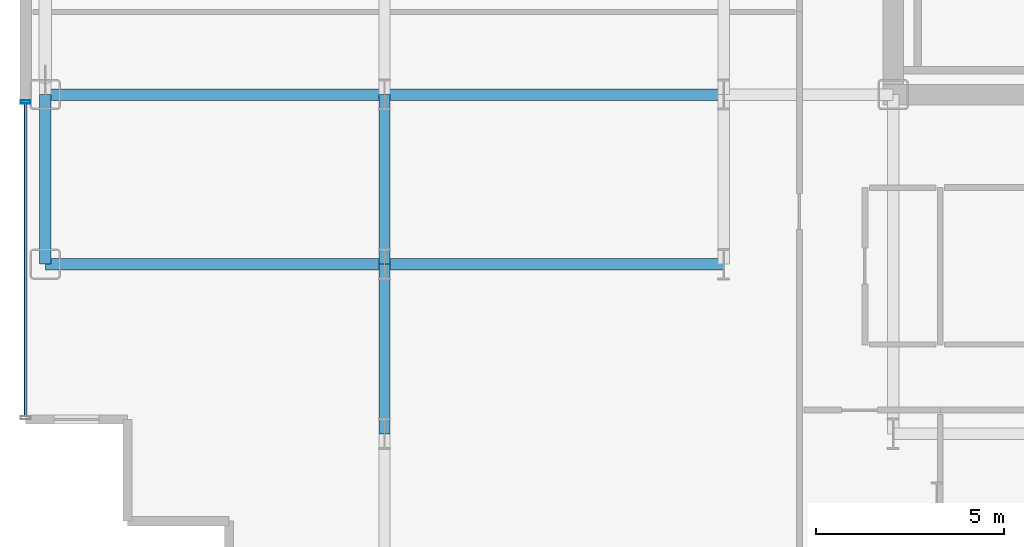
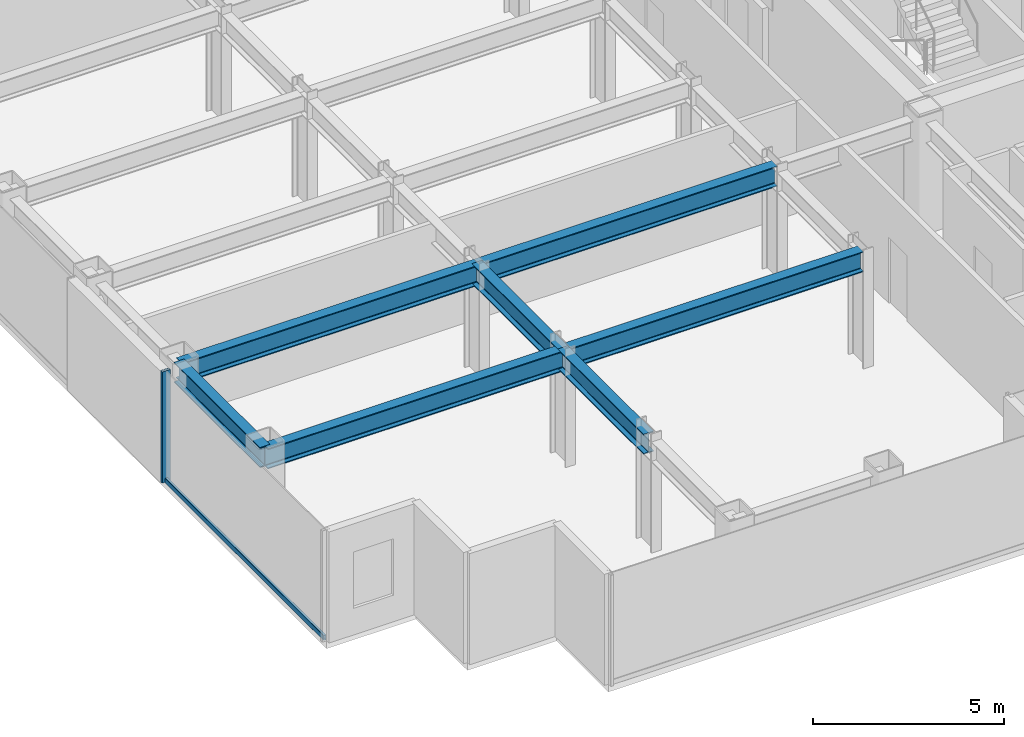
# One storey, part 4 of 25: 7 beams, 2 members, 1 element without a shape of its own.
"""IFC4 building model written with IfcOpenShell, lengths in metres."""

from ifc_helpers import new_model, si_unit, direction, frame, origin, origin_2d, place, context, subcontext, project, spatial, hollow_rectangle, i_section, extrude, source, transform, mapped, material, layer, layer_set, material_profile, profile_set, type_object, element, aggregate, save


model = new_model("IFC4")

# Units and contexts
model_context = context("Model", 3, precision=1e-05, world=origin(), true_north=direction((0.0, 1.0)))
body_context = subcontext(model_context, "Body", "Model", "MODEL_VIEW")
ifc_project = project(units=[si_unit("LENGTHUNIT", "METRE"), si_unit("AREAUNIT", "SQUARE_METRE"), si_unit("VOLUMEUNIT", "CUBIC_METRE"), si_unit("PLANEANGLEUNIT", "RADIAN"), si_unit("MASSUNIT", "GRAM", prefix="KILO")], contexts=[model_context])

# Site, building, storey
site_placement = place(None, origin())
site = spatial("IfcSite", under=ifc_project, at=site_placement, CompositionType="ELEMENT")
building_placement = place(site_placement, origin())
building = spatial("IfcBuilding", under=site, at=building_placement, Name="Nefas-Gora Pilgrimage Tower", CompositionType="ELEMENT")
storey_placement = place(building_placement, frame((0.0, 0.0, 194.39990234375)))
storey = spatial("IfcBuildingStorey", under=building, at=storey_placement, Name="L48", CompositionType="ELEMENT", Elevation=194.39990234375)

# Beams
ifc_material_1 = material(Name="Steel S355", Category="steel")
ifc_material_profile_1 = material_profile(ifc_material_1, i_section(OverallWidth=0.300048828125, OverallDepth=0.64990234375, WebThickness=0.01611328125, FlangeThickness=0.031005859375, FilletRadius=0.027099609375, at=origin_2d()), Name="HEB 650")
ifc_profile_set_1 = profile_set([ifc_material_profile_1], Name="Steel S355")
beam_type_1 = type_object("IfcBeamType", Name="BM-SPN-HEB500", PredefinedType="SPANDREL", material=ifc_profile_set_1)
shared_shape_1 = source(origin(), body_context, "Body", "SweptSolid", [
    extrude(i_section(OverallWidth=0.300048828125, OverallDepth=0.64990234375, WebThickness=0.01611328125, FlangeThickness=0.031005859375, FilletRadius=0.027099609375, at=origin_2d()), origin(), (0.0, 0.0, 1.0), 4.5),
])
beam_placement = place(storey_placement, frame((-33.75, -13.5, 3.22509765625), z_axis=(0.0, 1.0, 0.0), x_axis=(-1.0, 0.0, 0.0)))
element("IfcBeam", 1, at=beam_placement, inside=storey, type_object=beam_type_1, Name="L48 SP-02 beam", PredefinedType="SPANDREL", context=body_context, shape_type="MappedRepresentation", body=[
    mapped(shared_shape_1, transform((0.0, 0.0, 0.0), x_axis=(1.0, 0.0, 0.0), y_axis=(0.0, 1.0, 0.0), z_axis=(0.0, 0.0, 1.0), scale=1.0)),
])
ifc_material_profile_2 = material_profile(ifc_material_1, i_section(OverallWidth=0.300048828125, OverallDepth=0.64990234375, WebThickness=0.01611328125, FlangeThickness=0.031005859375, FilletRadius=0.027099609375, at=origin_2d()), Name="HEB 650")
ifc_profile_set_2 = profile_set([ifc_material_profile_2], Name="Steel S355")
beam_type_2 = type_object("IfcBeamType", Name="BM-GIR-HEB650", PredefinedType="BEAM", material=ifc_profile_set_2)
shared_shape_2 = source(origin(), body_context, "Body", "SweptSolid", [
    extrude(i_section(OverallWidth=0.300048828125, OverallDepth=0.64990234375, WebThickness=0.01611328125, FlangeThickness=0.031005859375, FilletRadius=0.027099609375, at=origin_2d()), origin(), (0.0, 0.0, 1.0), 9.0),
])
for number, where, z_axis, x_axis, name in (
    (2, (-33.75, -13.5, 3.22509765625), (1.0, 0.0, 0.0), (0.0, 1.0, 0.0), "L48 G-03 beam"),
    (3, (-33.75, -9.0, 3.22509765625), (1.0, 0.0, 0.0), (0.0, 1.0, 0.0), "L48 G-03 beam"),
    (4, (-24.75, -13.5, 3.22509765625), (1.0, 0.0, 0.0), (0.0, 1.0, 0.0), "L48 G-03 beam"),
    (5, (-24.75, -9.0, 3.22509765625), (1.0, 0.0, 0.0), (0.0, 1.0, 0.0), "L48 G-03 beam"),
):
    element("IfcBeam", number, at=place(storey_placement, frame(where, z_axis=z_axis, x_axis=x_axis)), inside=storey, type_object=beam_type_2, Name=name, PredefinedType="BEAM", context=body_context, shape_type="MappedRepresentation", body=[
        mapped(shared_shape_2, transform((0.0, 0.0, 0.0), x_axis=(1.0, 0.0, 0.0), y_axis=(0.0, 1.0, 0.0), z_axis=(0.0, 0.0, 1.0), scale=1.0)),
    ])
shared_shape_3 = source(origin(), body_context, "Body", "SweptSolid", [
    extrude(i_section(OverallWidth=0.300048828125, OverallDepth=0.64990234375, WebThickness=0.01611328125, FlangeThickness=0.031005859375, FilletRadius=0.027099609375, at=origin_2d()), origin(), (0.0, 0.0, 1.0), 4.5),
])
for number, where, z_axis, x_axis, name in (
    (6, (-24.75, -18.0, 3.22509765625), (0.0, 1.0, 0.0), (-1.0, 0.0, 0.0), "L48 G-03 beam"),
    (7, (-24.75, -13.5, 3.22509765625), (0.0, 1.0, 0.0), (-1.0, 0.0, 0.0), "L48 G-03 beam"),
):
    element("IfcBeam", number, at=place(storey_placement, frame(where, z_axis=z_axis, x_axis=x_axis)), inside=storey, type_object=beam_type_2, Name=name, PredefinedType="BEAM", context=body_context, shape_type="MappedRepresentation", body=[
        mapped(shared_shape_3, transform((0.0, 0.0, 0.0), x_axis=(1.0, 0.0, 0.0), y_axis=(0.0, 1.0, 0.0), z_axis=(0.0, 0.0, 1.0), scale=1.0)),
    ])

# Curtain wall, members
ifc_material_2 = material(Name="Dark ceramic-fritted solar-control aluminium-glass curtain wall", Category="aluminium")
ifc_layer = layer(ifc_material_2, 0.219970703125)
ifc_layer_set = layer_set([ifc_layer], Name="Dark ceramic-fritted solar-control aluminium-glass curtain wall")
curtain_wall_type = type_object("IfcCurtainWallType", Name="CW-SYS-3", PredefinedType="NOTDEFINED", material=ifc_layer_set)
curtain_wall_placement = place(storey_placement, origin())
curtain_wall = element("IfcCurtainWall", 8, at=curtain_wall_placement, inside=storey, type_object=curtain_wall_type, Name="L48 Unitised Curtain Wall CW3", PredefinedType="NOTDEFINED")
ifc_material_3 = material(Name="Anodised architectural aluminium", Category="aluminium")
ifc_material_profile_3 = material_profile(ifc_material_3, hollow_rectangle(XDim=0.090087890625, YDim=0.260009765625, WallThickness=0.006103515625, InnerFilletRadius=0.006103515625, OuterFilletRadius=0.011962890625, at=origin_2d()), Name="ALU MULLION 90x260")
ifc_profile_set_3 = profile_set([ifc_material_profile_3], Name="Anodised architectural aluminium")
member_type_1 = type_object("IfcMemberType", Name="CWM-MUL-3", PredefinedType="MULLION", material=ifc_profile_set_3)
shared_shape_4 = source(origin(), body_context, "Body", "SweptSolid", [
    extrude(hollow_rectangle(XDim=0.090087890625, YDim=0.260009765625, WallThickness=0.006103515625, InnerFilletRadius=0.006103515625, OuterFilletRadius=0.011962890625, at=origin_2d()), origin(), (0.0, 0.0, 1.0), 3.550048828125),
])
member_1_placement = place(storey_placement, frame((-34.27001953125, -9.195068359375, 0.0), z_axis=(0.0, 0.0, 1.0), x_axis=(0.0, -1.0, 0.0)))
member_1 = element("IfcMember", 9, at=member_1_placement, type_object=member_type_1, Name="CW3 Mullion 1", PredefinedType="MULLION", context=body_context, shape_type="MappedRepresentation", body=[
    mapped(shared_shape_4, transform((0.0, 0.0, 0.0), x_axis=(1.0, 0.0, 0.0), y_axis=(0.0, 1.0, 0.0), z_axis=(0.0, 0.0, 1.0), scale=1.0)),
])
ifc_material_profile_4 = material_profile(ifc_material_3, hollow_rectangle(XDim=0.080078125, YDim=0.159912109375, WallThickness=0.00439453125, InnerFilletRadius=0.00439453125, OuterFilletRadius=0.009033203125, at=origin_2d()), Name="ALU TRANSOM 80x160")
ifc_profile_set_4 = profile_set([ifc_material_profile_4], Name="Anodised architectural aluminium")
member_type_2 = type_object("IfcMemberType", Name="CWM-TRN-3", PredefinedType="USERDEFINED", material=ifc_profile_set_4)
shared_shape_5 = source(origin(), body_context, "Body", "SweptSolid", [
    extrude(hollow_rectangle(XDim=0.080078125, YDim=0.159912109375, WallThickness=0.00439453125, InnerFilletRadius=0.00439453125, OuterFilletRadius=0.009033203125, at=origin_2d()), origin(), (0.0, 0.0, 1.0), 8.2900390625),
])
member_2_placement = place(storey_placement, frame((-34.27001953125, -9.239990234375, 0.050048828125), z_axis=(0.0, -1.0, 0.0), x_axis=(1.0, 0.0, 0.0)))
member_2 = element("IfcMember", 10, at=member_2_placement, type_object=member_type_2, Name="CW3 Spandrel Transom", ObjectType="TRANSOM", PredefinedType="USERDEFINED", context=body_context, shape_type="MappedRepresentation", body=[
    mapped(shared_shape_5, transform((0.0, 0.0, 0.0), x_axis=(1.0, 0.0, 0.0), y_axis=(0.0, 1.0, 0.0), z_axis=(0.0, 0.0, 1.0), scale=1.0)),
])
aggregate(curtain_wall, [member_1, member_2])

save(model, "model.ifc")
